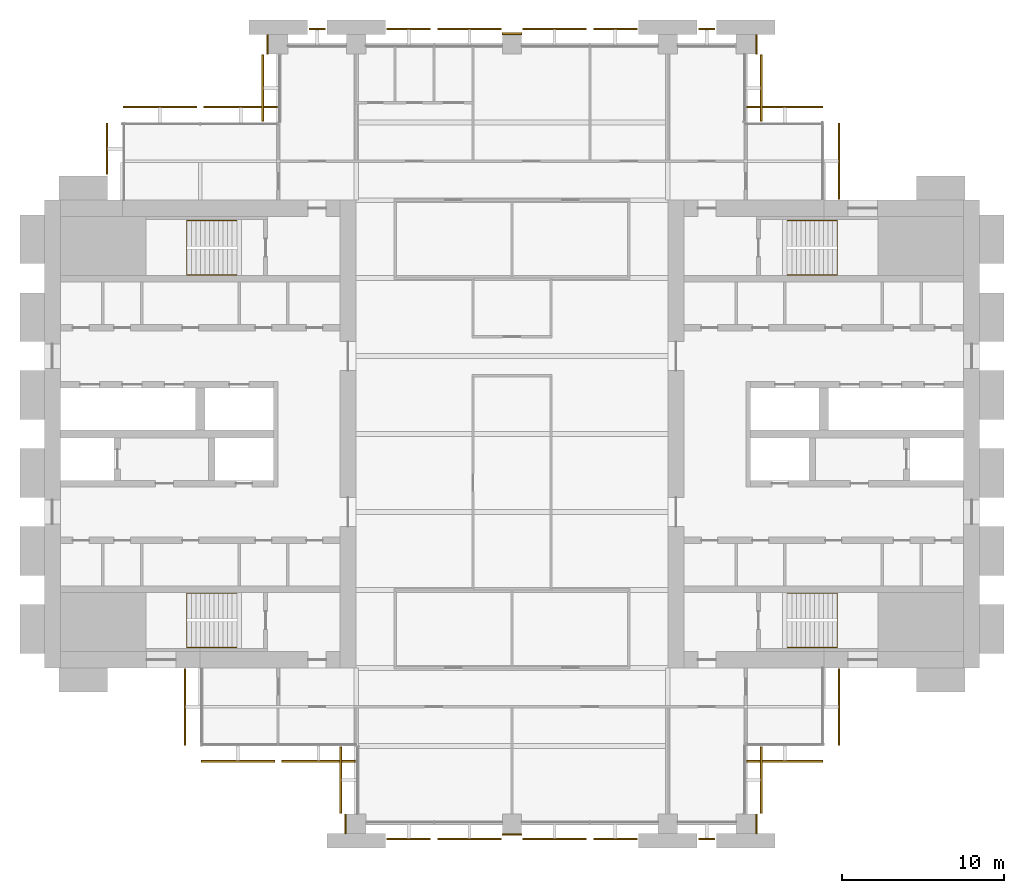
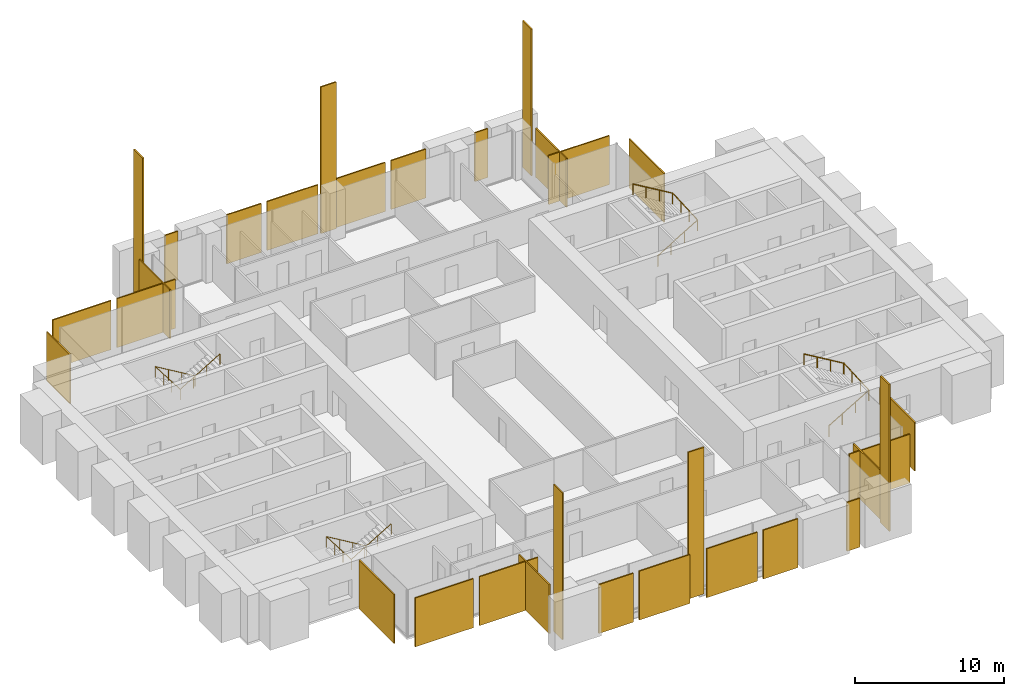
# One storey, part 14 of 14: 31 coverings, 4 railings.
"""IFC4 building model written with IfcOpenShell, lengths in metres."""

from ifc_helpers import new_model, si_unit, direction, frame, origin, origin_2d, place, context, subcontext, project, spatial, polyline, rectangle, circle, outline, extrude, material, layer, layer_set, type_object, element, save


model = new_model("IFC4")

# Units and contexts
model_context = context("Model", 3, precision=1e-05, world=origin(), true_north=direction((0.0, 1.0)))
body_context = subcontext(model_context, "Body", "Model", "MODEL_VIEW")
ifc_project = project(units=[si_unit("LENGTHUNIT", "METRE"), si_unit("AREAUNIT", "SQUARE_METRE"), si_unit("VOLUMEUNIT", "CUBIC_METRE"), si_unit("PLANEANGLEUNIT", "RADIAN"), si_unit("MASSUNIT", "GRAM", prefix="KILO")], contexts=[model_context])

# Site, building, storey
site_placement = place(None, origin())
site = spatial("IfcSite", under=ifc_project, at=site_placement, CompositionType="ELEMENT")
building_placement = place(site_placement, origin())
building = spatial("IfcBuilding", under=site, at=building_placement, Name="Baori Bourse Tower", CompositionType="ELEMENT")
storey_placement = place(building_placement, frame((0.0, 0.0, 156.10009765625)))
storey = spatial("IfcBuildingStorey", under=building, at=storey_placement, Name="L34", CompositionType="ELEMENT", Elevation=156.10009765625)

# Railings
ifc_material_1 = material(Name="Powder-coated steel balustrade", Category="steel")
railing_type = type_object("IfcRailingType", Name="Core stair handrail", PredefinedType="HANDRAIL", material=ifc_material_1)
railing_1_placement = place(storey_placement, frame((11.85009765625, 14.199951171875, 0.16650390625)))
element("IfcRailing", 1, at=railing_1_placement, inside=storey, type_object=railing_type, Name="L34 ST1 stair handrail 1", PredefinedType="HANDRAIL", context=body_context, shape_type="SweptSolid", body=[
    extrude(circle(Radius=0.02392578125, at=origin_2d()), frame((0.0, 0.0, 0.8759765625), z_axis=(-0.85927862911, 0.0, 0.511507807912), x_axis=(0.0, -1.0, 0.0)), (0.0, 0.0, 1.0), 3.58447265625),
    extrude(circle(Radius=0.02392578125, at=origin_2d()), frame((-3.080078125, 0.0, 2.70947265625), z_axis=(0.0, -0.998766999029, 0.049643545903), x_axis=(1.0, 0.0, 0.0)), (0.0, 0.0, 1.0), 3.35400390625),
    extrude(circle(Radius=0.02392578125, at=origin_2d()), frame((-3.080078125, -3.349853515625, 2.8759765625), z_axis=(0.85927862911, 0.0, 0.511507807912), x_axis=(0.0, 1.0, 0.0)), (0.0, 0.0, 1.0), 3.58447265625),
    extrude(circle(Radius=0.02099609375, at=origin_2d()), origin(), (0.0, 0.0, 1.0), 0.851806640625),
    extrude(circle(Radius=0.02099609375, at=origin_2d()), frame((-1.026611328125, 0.0, 0.611083984375)), (0.0, 0.0, 1.0), 0.851806640625),
    extrude(circle(Radius=0.02099609375, at=origin_2d()), frame((-2.053466796875, 0.0, 1.222412109375)), (0.0, 0.0, 1.0), 0.851806640625),
    extrude(circle(Radius=0.02099609375, at=origin_2d()), frame((-3.080078125, 0.0, 1.83349609375)), (0.0, 0.0, 1.0), 0.851806640625),
    extrude(circle(Radius=0.02099609375, at=origin_2d()), frame((-3.080078125, -1.11669921875, 1.888916015625)), (0.0, 0.0, 1.0), 0.851806640625),
    extrude(circle(Radius=0.02099609375, at=origin_2d()), frame((-3.080078125, -2.233154296875, 1.944580078125)), (0.0, 0.0, 1.0), 0.851806640625),
    extrude(circle(Radius=0.02099609375, at=origin_2d()), frame((-3.080078125, -3.349853515625, 2.0)), (0.0, 0.0, 1.0), 0.851806640625),
    extrude(circle(Radius=0.02099609375, at=origin_2d()), frame((-2.053466796875, -3.349853515625, 2.611083984375)), (0.0, 0.0, 1.0), 0.851806640625),
    extrude(circle(Radius=0.02099609375, at=origin_2d()), frame((-1.026611328125, -3.349853515625, 3.222412109375)), (0.0, 0.0, 1.0), 0.851806640625),
    extrude(circle(Radius=0.02099609375, at=origin_2d()), frame((0.0, -3.349853515625, 3.83349609375)), (0.0, 0.0, 1.0), 0.851806640625),
])
railing_2_placement = place(storey_placement, frame((11.85009765625, 37.14990234375, 0.16650390625)))
element("IfcRailing", 2, at=railing_2_placement, inside=storey, type_object=railing_type, Name="L34 ST2 stair handrail 1", PredefinedType="HANDRAIL", context=body_context, shape_type="SweptSolid", body=[
    extrude(circle(Radius=0.02392578125, at=origin_2d()), frame((0.0, 0.0, 0.8759765625), z_axis=(-0.85927862911, 0.0, 0.511507807912), x_axis=(0.0, -1.0, 0.0)), (0.0, 0.0, 1.0), 3.58447265625),
    extrude(circle(Radius=0.02392578125, at=origin_2d()), frame((-3.080078125, 0.0, 2.70947265625), z_axis=(0.0, -0.998766999029, 0.049643545903), x_axis=(1.0, 0.0, 0.0)), (0.0, 0.0, 1.0), 3.35400390625),
    extrude(circle(Radius=0.02392578125, at=origin_2d()), frame((-3.080078125, -3.349853515625, 2.8759765625), z_axis=(0.85927862911, 0.0, 0.511507807912), x_axis=(0.0, 1.0, 0.0)), (0.0, 0.0, 1.0), 3.58447265625),
    extrude(circle(Radius=0.02099609375, at=origin_2d()), origin(), (0.0, 0.0, 1.0), 0.851806640625),
    extrude(circle(Radius=0.02099609375, at=origin_2d()), frame((-1.026611328125, 0.0, 0.611083984375)), (0.0, 0.0, 1.0), 0.851806640625),
    extrude(circle(Radius=0.02099609375, at=origin_2d()), frame((-2.053466796875, 0.0, 1.222412109375)), (0.0, 0.0, 1.0), 0.851806640625),
    extrude(circle(Radius=0.02099609375, at=origin_2d()), frame((-3.080078125, 0.0, 1.83349609375)), (0.0, 0.0, 1.0), 0.851806640625),
    extrude(circle(Radius=0.02099609375, at=origin_2d()), frame((-3.080078125, -1.11669921875, 1.888916015625)), (0.0, 0.0, 1.0), 0.851806640625),
    extrude(circle(Radius=0.02099609375, at=origin_2d()), frame((-3.080078125, -2.233154296875, 1.944580078125)), (0.0, 0.0, 1.0), 0.851806640625),
    extrude(circle(Radius=0.02099609375, at=origin_2d()), frame((-3.080078125, -3.349853515625, 2.0)), (0.0, 0.0, 1.0), 0.851806640625),
    extrude(circle(Radius=0.02099609375, at=origin_2d()), frame((-2.053466796875, -3.349853515625, 2.611083984375)), (0.0, 0.0, 1.0), 0.851806640625),
    extrude(circle(Radius=0.02099609375, at=origin_2d()), frame((-1.026611328125, -3.349853515625, 3.222412109375)), (0.0, 0.0, 1.0), 0.851806640625),
    extrude(circle(Radius=0.02099609375, at=origin_2d()), frame((0.0, -3.349853515625, 3.83349609375)), (0.0, 0.0, 1.0), 0.851806640625),
])
railing_3_placement = place(storey_placement, frame((45.75, 10.85009765625, 0.16650390625)))
element("IfcRailing", 3, at=railing_3_placement, inside=storey, type_object=railing_type, Name="L34 ST3 stair handrail 1", PredefinedType="HANDRAIL", context=body_context, shape_type="SweptSolid", body=[
    extrude(circle(Radius=0.02392578125, at=origin_2d()), frame((0.0, 0.0, 0.8759765625), z_axis=(0.85927862911, 0.0, 0.511507807912), x_axis=(0.0, 1.0, 0.0)), (0.0, 0.0, 1.0), 3.58447265625),
    extrude(circle(Radius=0.02392578125, at=origin_2d()), frame((3.080078125, 0.0, 2.70947265625), z_axis=(0.0, 0.998766999029, 0.049643545903), x_axis=(-1.0, 0.0, 0.0)), (0.0, 0.0, 1.0), 3.35400390625),
    extrude(circle(Radius=0.02392578125, at=origin_2d()), frame((3.080078125, 3.349853515625, 2.8759765625), z_axis=(-0.85927862911, 0.0, 0.511507807912), x_axis=(0.0, -1.0, 0.0)), (0.0, 0.0, 1.0), 3.58447265625),
    extrude(circle(Radius=0.02099609375, at=origin_2d()), origin(), (0.0, 0.0, 1.0), 0.851806640625),
    extrude(circle(Radius=0.02099609375, at=origin_2d()), frame((1.026611328125, 0.0, 0.611083984375)), (0.0, 0.0, 1.0), 0.851806640625),
    extrude(circle(Radius=0.02099609375, at=origin_2d()), frame((2.053466796875, 0.0, 1.222412109375)), (0.0, 0.0, 1.0), 0.851806640625),
    extrude(circle(Radius=0.02099609375, at=origin_2d()), frame((3.080078125, 0.0, 1.83349609375)), (0.0, 0.0, 1.0), 0.851806640625),
    extrude(circle(Radius=0.02099609375, at=origin_2d()), frame((3.080078125, 1.11669921875, 1.888916015625)), (0.0, 0.0, 1.0), 0.851806640625),
    extrude(circle(Radius=0.02099609375, at=origin_2d()), frame((3.080078125, 2.233154296875, 1.944580078125)), (0.0, 0.0, 1.0), 0.851806640625),
    extrude(circle(Radius=0.02099609375, at=origin_2d()), frame((3.080078125, 3.349853515625, 2.0)), (0.0, 0.0, 1.0), 0.851806640625),
    extrude(circle(Radius=0.02099609375, at=origin_2d()), frame((2.053466796875, 3.349853515625, 2.611083984375)), (0.0, 0.0, 1.0), 0.851806640625),
    extrude(circle(Radius=0.02099609375, at=origin_2d()), frame((1.026611328125, 3.349853515625, 3.222412109375)), (0.0, 0.0, 1.0), 0.851806640625),
    extrude(circle(Radius=0.02099609375, at=origin_2d()), frame((0.0, 3.349853515625, 3.83349609375)), (0.0, 0.0, 1.0), 0.851806640625),
])
railing_4_placement = place(storey_placement, frame((45.75, 33.800048828125, 0.16650390625)))
element("IfcRailing", 4, at=railing_4_placement, inside=storey, type_object=railing_type, Name="L34 ST4 stair handrail 1", PredefinedType="HANDRAIL", context=body_context, shape_type="SweptSolid", body=[
    extrude(circle(Radius=0.02392578125, at=origin_2d()), frame((0.0, 0.0, 0.8759765625), z_axis=(0.85927862911, 0.0, 0.511507807912), x_axis=(0.0, 1.0, 0.0)), (0.0, 0.0, 1.0), 3.58447265625),
    extrude(circle(Radius=0.02392578125, at=origin_2d()), frame((3.080078125, 0.0, 2.70947265625), z_axis=(0.0, 0.998766999029, 0.049643545903), x_axis=(-1.0, 0.0, 0.0)), (0.0, 0.0, 1.0), 3.35400390625),
    extrude(circle(Radius=0.02392578125, at=origin_2d()), frame((3.080078125, 3.349853515625, 2.8759765625), z_axis=(-0.85927862911, 0.0, 0.511507807912), x_axis=(0.0, -1.0, 0.0)), (0.0, 0.0, 1.0), 3.58447265625),
    extrude(circle(Radius=0.02099609375, at=origin_2d()), origin(), (0.0, 0.0, 1.0), 0.851806640625),
    extrude(circle(Radius=0.02099609375, at=origin_2d()), frame((1.026611328125, 0.0, 0.611083984375)), (0.0, 0.0, 1.0), 0.851806640625),
    extrude(circle(Radius=0.02099609375, at=origin_2d()), frame((2.053466796875, 0.0, 1.222412109375)), (0.0, 0.0, 1.0), 0.851806640625),
    extrude(circle(Radius=0.02099609375, at=origin_2d()), frame((3.080078125, 0.0, 1.83349609375)), (0.0, 0.0, 1.0), 0.851806640625),
    extrude(circle(Radius=0.02099609375, at=origin_2d()), frame((3.080078125, 1.11669921875, 1.888916015625)), (0.0, 0.0, 1.0), 0.851806640625),
    extrude(circle(Radius=0.02099609375, at=origin_2d()), frame((3.080078125, 2.233154296875, 1.944580078125)), (0.0, 0.0, 1.0), 0.851806640625),
    extrude(circle(Radius=0.02099609375, at=origin_2d()), frame((3.080078125, 3.349853515625, 2.0)), (0.0, 0.0, 1.0), 0.851806640625),
    extrude(circle(Radius=0.02099609375, at=origin_2d()), frame((2.053466796875, 3.349853515625, 2.611083984375)), (0.0, 0.0, 1.0), 0.851806640625),
    extrude(circle(Radius=0.02099609375, at=origin_2d()), frame((1.026611328125, 3.349853515625, 3.222412109375)), (0.0, 0.0, 1.0), 0.851806640625),
    extrude(circle(Radius=0.02099609375, at=origin_2d()), frame((0.0, 3.349853515625, 3.83349609375)), (0.0, 0.0, 1.0), 0.851806640625),
])

# Coverings
ifc_material_2 = material(Name="Pale anodised aluminium", Category="aluminium")
ifc_layer_1 = layer(ifc_material_2, 0.10009765625)
ifc_layer_set_1 = layer_set([ifc_layer_1], Name="OS3 Outer skin screen panel")
covering_type_1 = type_object("IfcCoveringType", Name="OS3 Outer skin screen panel", PredefinedType="CLADDING", material=ifc_layer_set_1)
covering_1_placement = place(storey_placement, frame((0.0, 0.0, -0.16015625)))
element("IfcCovering", 5, at=covering_1_placement, inside=storey, type_object=covering_type_1, Name="Outer skin screen L34 1", PredefinedType="CLADDING", context=body_context, shape_type="SweptSolid", body=[
    extrude(outline(polyline([(48.89990234375, 43.14990234375), (48.89990234375, 38.449951171875), (49.0, 38.449951171875), (49.0, 43.14990234375), (48.89990234375, 43.14990234375)])), origin(), (0.0, 0.0, 1.0), 4.0),
])
covering_2_placement = place(storey_placement, frame((0.0, 0.0, -0.16015625)))
element("IfcCovering", 6, at=covering_2_placement, inside=storey, type_object=covering_type_1, Name="Outer skin screen L34 2", PredefinedType="CLADDING", context=body_context, shape_type="SweptSolid", body=[
    extrude(outline(polyline([(43.25, 44.10009765625), (47.949951171875, 44.10009765625), (47.949951171875, 44.199951171875), (43.25, 44.199951171875), (43.25, 44.10009765625)])), origin(), (0.0, 0.0, 1.0), 4.0),
])
covering_3_placement = place(storey_placement, frame((0.0, 0.0, -0.16015625)))
element("IfcCovering", 7, at=covering_3_placement, inside=storey, type_object=covering_type_1, Name="Outer skin screen L34 3", PredefinedType="CLADDING", context=body_context, shape_type="SweptSolid", body=[
    extrude(outline(polyline([(44.10009765625, 47.35009765625), (44.10009765625, 43.25), (44.199951171875, 43.25), (44.199951171875, 47.35009765625), (44.10009765625, 47.35009765625)])), origin(), (0.0, 0.0, 1.0), 4.0),
])
covering_4_placement = place(storey_placement, frame((0.0, 0.0, -0.16015625)))
element("IfcCovering", 8, at=covering_4_placement, inside=storey, type_object=covering_type_1, Name="Outer skin screen L34 4", PredefinedType="CLADDING", context=body_context, shape_type="SweptSolid", body=[
    extrude(outline(polyline([(40.300048828125, 48.89990234375), (41.300048828125, 48.89990234375), (41.300048828125, 49.0), (40.300048828125, 49.0), (40.300048828125, 48.89990234375)])), origin(), (0.0, 0.0, 1.0), 4.0),
])
covering_5_placement = place(storey_placement, frame((0.0, 0.0, -0.16015625)))
element("IfcCovering", 9, at=covering_5_placement, inside=storey, type_object=covering_type_1, Name="Outer skin screen L34 5", PredefinedType="CLADDING", context=body_context, shape_type="SweptSolid", body=[
    extrude(outline(polyline([(33.824951171875, 48.89990234375), (36.5, 48.89990234375), (36.5, 49.0), (33.824951171875, 49.0), (33.824951171875, 48.89990234375)])), origin(), (0.0, 0.0, 1.0), 4.0),
])
covering_6_placement = place(storey_placement, frame((0.0, 0.0, -0.16015625)))
element("IfcCovering", 10, at=covering_6_placement, inside=storey, type_object=covering_type_1, Name="Outer skin screen L34 6", PredefinedType="CLADDING", context=body_context, shape_type="SweptSolid", body=[
    extrude(outline(polyline([(29.449951171875, 48.89990234375), (33.375, 48.89990234375), (33.375, 49.0), (29.449951171875, 49.0), (29.449951171875, 48.89990234375)])), origin(), (0.0, 0.0, 1.0), 4.0),
])
covering_7_placement = place(storey_placement, frame((0.0, 0.0, -0.16015625)))
element("IfcCovering", 11, at=covering_7_placement, inside=storey, type_object=covering_type_1, Name="Outer skin screen L34 7", PredefinedType="CLADDING", context=body_context, shape_type="SweptSolid", body=[
    extrude(outline(polyline([(24.22509765625, 48.89990234375), (28.14990234375, 48.89990234375), (28.14990234375, 49.0), (24.22509765625, 49.0), (24.22509765625, 48.89990234375)])), origin(), (0.0, 0.0, 1.0), 4.0),
])
covering_8_placement = place(storey_placement, frame((0.0, 0.0, -0.16015625)))
element("IfcCovering", 12, at=covering_8_placement, inside=storey, type_object=covering_type_1, Name="Outer skin screen L34 8", PredefinedType="CLADDING", context=body_context, shape_type="SweptSolid", body=[
    extrude(outline(polyline([(21.10009765625, 48.89990234375), (23.77490234375, 48.89990234375), (23.77490234375, 49.0), (21.10009765625, 49.0), (21.10009765625, 48.89990234375)])), origin(), (0.0, 0.0, 1.0), 4.0),
])
covering_9_placement = place(storey_placement, frame((0.0, 0.0, -0.16015625)))
element("IfcCovering", 13, at=covering_9_placement, inside=storey, type_object=covering_type_1, Name="Outer skin screen L34 9", PredefinedType="CLADDING", context=body_context, shape_type="SweptSolid", body=[
    extrude(outline(polyline([(16.300048828125, 48.89990234375), (17.300048828125, 48.89990234375), (17.300048828125, 49.0), (16.300048828125, 49.0), (16.300048828125, 48.89990234375)])), origin(), (0.0, 0.0, 1.0), 4.0),
])
covering_10_placement = place(storey_placement, frame((0.0, 0.0, -0.16015625)))
element("IfcCovering", 14, at=covering_10_placement, inside=storey, type_object=covering_type_1, Name="Outer skin screen L34 10", PredefinedType="CLADDING", context=body_context, shape_type="SweptSolid", body=[
    extrude(outline(polyline([(13.5, 43.25), (13.5, 47.35009765625), (13.39990234375, 47.35009765625), (13.39990234375, 43.25), (13.5, 43.25)])), origin(), (0.0, 0.0, 1.0), 4.0),
])
covering_11_placement = place(storey_placement, frame((0.0, 0.0, -0.16015625)))
element("IfcCovering", 15, at=covering_11_placement, inside=storey, type_object=covering_type_1, Name="Outer skin screen L34 11", PredefinedType="CLADDING", context=body_context, shape_type="SweptSolid", body=[
    extrude(outline(polyline([(9.824951171875, 44.10009765625), (14.35009765625, 44.10009765625), (14.35009765625, 44.199951171875), (9.824951171875, 44.199951171875), (9.824951171875, 44.10009765625)])), origin(), (0.0, 0.0, 1.0), 4.0),
])
covering_12_placement = place(storey_placement, frame((0.0, 0.0, -0.16015625)))
element("IfcCovering", 16, at=covering_12_placement, inside=storey, type_object=covering_type_1, Name="Outer skin screen L34 12", PredefinedType="CLADDING", context=body_context, shape_type="SweptSolid", body=[
    extrude(outline(polyline([(4.85009765625, 44.10009765625), (9.375, 44.10009765625), (9.375, 44.199951171875), (4.85009765625, 44.199951171875), (4.85009765625, 44.10009765625)])), origin(), (0.0, 0.0, 1.0), 4.0),
])
covering_13_placement = place(storey_placement, frame((0.0, 0.0, -0.16015625)))
element("IfcCovering", 17, at=covering_13_placement, inside=storey, type_object=covering_type_1, Name="Outer skin screen L34 13", PredefinedType="CLADDING", context=body_context, shape_type="SweptSolid", body=[
    extrude(outline(polyline([(3.89990234375, 40.0), (3.89990234375, 43.14990234375), (3.800048828125, 43.14990234375), (3.800048828125, 40.0), (3.89990234375, 40.0), (3.89990234375, 40.0)])), origin(), (0.0, 0.0, 1.0), 4.0),
])
covering_14_placement = place(storey_placement, frame((0.0, 0.0, -0.16015625)))
element("IfcCovering", 18, at=covering_14_placement, inside=storey, type_object=covering_type_1, Name="Outer skin screen L34 14", PredefinedType="CLADDING", context=body_context, shape_type="SweptSolid", body=[
    extrude(outline(polyline([(8.699951171875, 4.85009765625), (8.699951171875, 9.550048828125), (8.60009765625, 9.550048828125), (8.60009765625, 4.85009765625), (8.699951171875, 4.85009765625)])), origin(), (0.0, 0.0, 1.0), 4.0),
])
covering_15_placement = place(storey_placement, frame((0.0, 0.0, -0.16015625)))
element("IfcCovering", 19, at=covering_15_placement, inside=storey, type_object=covering_type_1, Name="Outer skin screen L34 15", PredefinedType="CLADDING", context=body_context, shape_type="SweptSolid", body=[
    extrude(outline(polyline([(14.175048828125, 3.89990234375), (9.64990234375, 3.89990234375), (9.64990234375, 3.800048828125), (14.175048828125, 3.800048828125), (14.175048828125, 3.89990234375)])), origin(), (0.0, 0.0, 1.0), 4.0),
])
covering_16_placement = place(storey_placement, frame((0.0, 0.0, -0.16015625)))
element("IfcCovering", 20, at=covering_16_placement, inside=storey, type_object=covering_type_1, Name="Outer skin screen L34 16", PredefinedType="CLADDING", context=body_context, shape_type="SweptSolid", body=[
    extrude(outline(polyline([(19.14990234375, 3.89990234375), (14.625, 3.89990234375), (14.625, 3.800048828125), (19.14990234375, 3.800048828125), (19.14990234375, 3.89990234375)])), origin(), (0.0, 0.0, 1.0), 4.0),
])
covering_17_placement = place(storey_placement, frame((0.0, 0.0, -0.16015625)))
element("IfcCovering", 21, at=covering_17_placement, inside=storey, type_object=covering_type_1, Name="Outer skin screen L34 17", PredefinedType="CLADDING", context=body_context, shape_type="SweptSolid", body=[
    extrude(outline(polyline([(18.300048828125, 0.64990234375), (18.300048828125, 4.75), (18.199951171875, 4.75), (18.199951171875, 0.64990234375), (18.300048828125, 0.64990234375)])), origin(), (0.0, 0.0, 1.0), 4.0),
])
covering_18_placement = place(storey_placement, frame((0.0, 0.0, -0.16015625)))
element("IfcCovering", 22, at=covering_18_placement, inside=storey, type_object=covering_type_1, Name="Outer skin screen L34 18", PredefinedType="CLADDING", context=body_context, shape_type="SweptSolid", body=[
    extrude(outline(polyline([(23.77490234375, -0.89990234375), (21.10009765625, -0.89990234375), (21.10009765625, -1.0), (23.77490234375, -1.0), (23.77490234375, -0.89990234375)])), origin(), (0.0, 0.0, 1.0), 4.0),
])
covering_19_placement = place(storey_placement, frame((0.0, 0.0, -0.16015625)))
element("IfcCovering", 23, at=covering_19_placement, inside=storey, type_object=covering_type_1, Name="Outer skin screen L34 19", PredefinedType="CLADDING", context=body_context, shape_type="SweptSolid", body=[
    extrude(outline(polyline([(28.14990234375, -0.89990234375), (24.22509765625, -0.89990234375), (24.22509765625, -1.0), (28.14990234375, -1.0), (28.14990234375, -0.89990234375)])), origin(), (0.0, 0.0, 1.0), 4.0),
])
covering_20_placement = place(storey_placement, frame((0.0, 0.0, -0.16015625)))
element("IfcCovering", 24, at=covering_20_placement, inside=storey, type_object=covering_type_1, Name="Outer skin screen L34 20", PredefinedType="CLADDING", context=body_context, shape_type="SweptSolid", body=[
    extrude(outline(polyline([(33.375, -0.89990234375), (29.449951171875, -0.89990234375), (29.449951171875, -1.0), (33.375, -1.0), (33.375, -0.89990234375)])), origin(), (0.0, 0.0, 1.0), 4.0),
])
covering_21_placement = place(storey_placement, frame((0.0, 0.0, -0.16015625)))
element("IfcCovering", 25, at=covering_21_placement, inside=storey, type_object=covering_type_1, Name="Outer skin screen L34 21", PredefinedType="CLADDING", context=body_context, shape_type="SweptSolid", body=[
    extrude(outline(polyline([(36.5, -0.89990234375), (33.824951171875, -0.89990234375), (33.824951171875, -1.0), (36.5, -1.0), (36.5, -0.89990234375)])), origin(), (0.0, 0.0, 1.0), 4.0),
])
covering_22_placement = place(storey_placement, frame((0.0, 0.0, -0.16015625)))
element("IfcCovering", 26, at=covering_22_placement, inside=storey, type_object=covering_type_1, Name="Outer skin screen L34 22", PredefinedType="CLADDING", context=body_context, shape_type="SweptSolid", body=[
    extrude(outline(polyline([(41.300048828125, -0.89990234375), (40.300048828125, -0.89990234375), (40.300048828125, -1.0), (41.300048828125, -1.0), (41.300048828125, -0.89990234375)])), origin(), (0.0, 0.0, 1.0), 4.0),
])
covering_23_placement = place(storey_placement, frame((0.0, 0.0, -0.16015625)))
element("IfcCovering", 27, at=covering_23_placement, inside=storey, type_object=covering_type_1, Name="Outer skin screen L34 23", PredefinedType="CLADDING", context=body_context, shape_type="SweptSolid", body=[
    extrude(outline(polyline([(44.10009765625, 4.75), (44.10009765625, 0.64990234375), (44.199951171875, 0.64990234375), (44.199951171875, 4.75), (44.10009765625, 4.75)])), origin(), (0.0, 0.0, 1.0), 4.0),
])
covering_24_placement = place(storey_placement, frame((0.0, 0.0, -0.16015625)))
element("IfcCovering", 28, at=covering_24_placement, inside=storey, type_object=covering_type_1, Name="Outer skin screen L34 24", PredefinedType="CLADDING", context=body_context, shape_type="SweptSolid", body=[
    extrude(outline(polyline([(47.949951171875, 3.89990234375), (43.25, 3.89990234375), (43.25, 3.800048828125), (47.949951171875, 3.800048828125), (47.949951171875, 3.89990234375)])), origin(), (0.0, 0.0, 1.0), 4.0),
])
covering_25_placement = place(storey_placement, frame((0.0, 0.0, -0.16015625)))
element("IfcCovering", 29, at=covering_25_placement, inside=storey, type_object=covering_type_1, Name="Outer skin screen L34 25", PredefinedType="CLADDING", context=body_context, shape_type="SweptSolid", body=[
    extrude(outline(polyline([(48.89990234375, 9.550048828125), (48.89990234375, 4.85009765625), (49.0, 4.85009765625), (49.0, 9.550048828125), (48.89990234375, 9.550048828125)])), origin(), (0.0, 0.0, 1.0), 4.0),
])
ifc_material_3 = material(Name="Face brick", Category="masonry")
ifc_layer_2 = layer(ifc_material_3, 0.110107421875)
ifc_layer_set_2 = layer_set([ifc_layer_2], Name="PC1 Brick pier facing")
covering_type_2 = type_object("IfcCoveringType", Name="PC1 Brick pier facing", PredefinedType="CLADDING", material=ifc_layer_set_2)
covering_26_placement = place(storey_placement, frame((18.544921875, 0.0, 0.0), z_axis=(0.0, 0.0, 1.0), x_axis=(1.0, 0.0, 0.0)))
element("IfcCovering", 30, at=covering_26_placement, inside=storey, type_object=covering_type_2, Name="Brick pier facing L34 1", PredefinedType="CLADDING", context=body_context, shape_type="SweptSolid", body=[
    extrude(rectangle(XDim=0.110107421875, YDim=1.199951171875, at=origin_2d()), origin(), (0.0, 0.0, 1.0), 12.0),
])
covering_27_placement = place(storey_placement, frame((28.800048828125, -0.655029296875, 0.0), z_axis=(0.0, 0.0, 1.0), x_axis=(1.0, 0.0, 0.0)))
element("IfcCovering", 31, at=covering_27_placement, inside=storey, type_object=covering_type_2, Name="Brick pier facing L34 2", PredefinedType="CLADDING", context=body_context, shape_type="SweptSolid", body=[
    extrude(rectangle(XDim=1.199951171875, YDim=0.110107421875, at=origin_2d()), origin(), (0.0, 0.0, 1.0), 12.0),
])
for number, where, z_axis, x_axis, name in (
    (32, (43.85498046875, 0.0, 0.0), (0.0, 0.0, 1.0), (1.0, 0.0, 0.0), "Brick pier facing L34 3"),
    (33, (13.7451171875, 48.0, 0.0), (0.0, 0.0, 1.0), (1.0, 0.0, 0.0), "Brick pier facing L34 4"),
):
    element("IfcCovering", number, at=place(storey_placement, frame(where, z_axis=z_axis, x_axis=x_axis)), inside=storey, type_object=covering_type_2, Name=name, PredefinedType="CLADDING", context=body_context, shape_type="SweptSolid", body=[
        extrude(rectangle(XDim=0.110107421875, YDim=1.199951171875, at=origin_2d()), origin(), (0.0, 0.0, 1.0), 12.0),
    ])
covering_28_placement = place(storey_placement, frame((28.800048828125, 48.655029296875, 0.0), z_axis=(0.0, 0.0, 1.0), x_axis=(1.0, 0.0, 0.0)))
element("IfcCovering", 34, at=covering_28_placement, inside=storey, type_object=covering_type_2, Name="Brick pier facing L34 5", PredefinedType="CLADDING", context=body_context, shape_type="SweptSolid", body=[
    extrude(rectangle(XDim=1.199951171875, YDim=0.110107421875, at=origin_2d()), origin(), (0.0, 0.0, 1.0), 12.0),
])
covering_29_placement = place(storey_placement, frame((43.85498046875, 48.0, 0.0), z_axis=(0.0, 0.0, 1.0), x_axis=(1.0, 0.0, 0.0)))
element("IfcCovering", 35, at=covering_29_placement, inside=storey, type_object=covering_type_2, Name="Brick pier facing L34 6", PredefinedType="CLADDING", context=body_context, shape_type="SweptSolid", body=[
    extrude(rectangle(XDim=0.110107421875, YDim=1.199951171875, at=origin_2d()), origin(), (0.0, 0.0, 1.0), 12.0),
])

save(model, "model.ifc")
